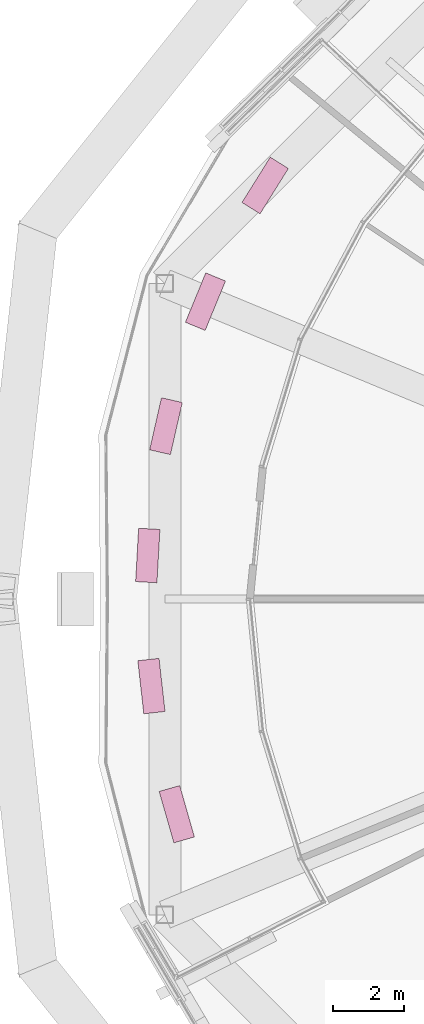
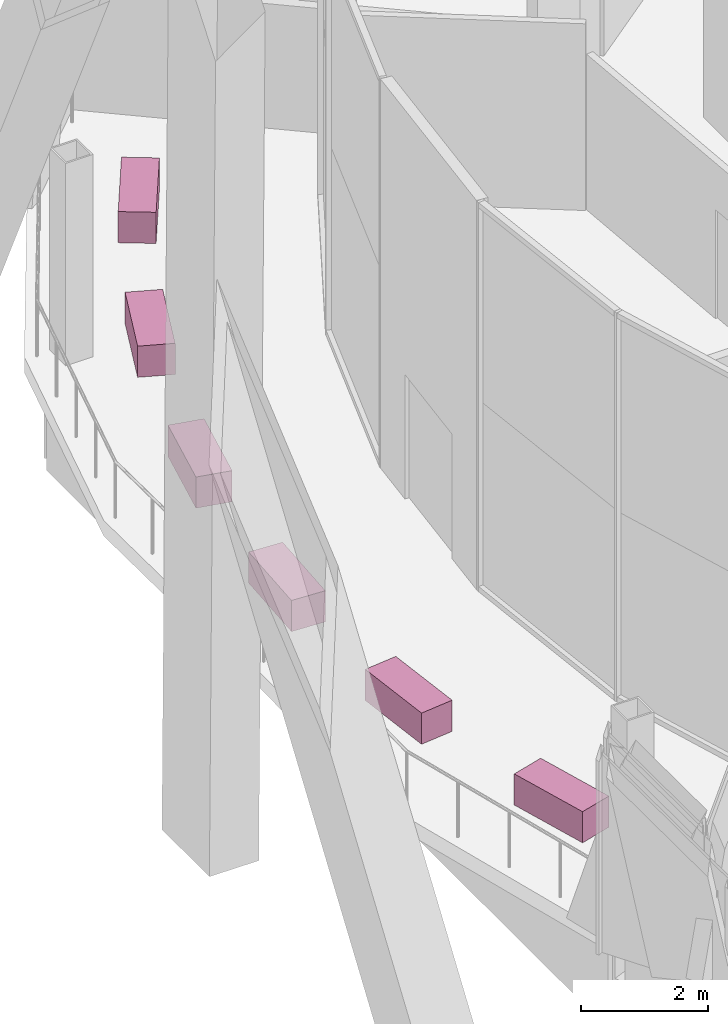
# One storey, part 30 of 30: 6 furniture elements.
"""IFC4 building model written with IfcOpenShell, lengths in metres."""

import ifcopenshell
import ifcopenshell.guid

model = None  # the IFC model being written
_history = None  # IfcOwnerHistory: only IFC2X3 demands one
_inside = {}  # id of a spatial element -> (the spatial element, [elements in it])
_under = {}  # id of a project, library or spatial element -> (it, [spatial elements below it])
_declared = {}  # id of a project -> (the project, [libraries it declares])
_typed = {}  # id of a type object -> (the type object, [elements of that type])
_made_of = {}  # id of a material, layer set ... -> (it, [elements and type objects made of it])


def new_model(schema):
    """Start an empty IFC model of exactly this schema.

    Asked for "IFC4X3", IfcOpenShell would pick the latest addendum, in which some entities
    have other attributes; the version numbers below select the first issue.
    IFC2X3 requires an IfcOwnerHistory on every rooted entity: one is made here for all.
    """
    global model, _history
    if schema == "IFC4X3":
        model = ifcopenshell.file(schema_version=(4, 3, 0, 0))
    else:
        model = ifcopenshell.file(schema=schema)
    _inside.clear()
    _under.clear()
    _declared.clear()
    _typed.clear()
    _made_of.clear()
    _history = None
    if model.schema == "IFC2X3":
        org = make("IfcOrganization", Name="unknown")
        user = make(
            "IfcPersonAndOrganization",
            ThePerson=make("IfcPerson", FamilyName="unknown"),
            TheOrganization=org,
        )
        app = make(
            "IfcApplication",
            ApplicationDeveloper=org,
            Version="unknown",
            ApplicationFullName="unknown",
            ApplicationIdentifier="unknown",
        )
        _history = make(
            "IfcOwnerHistory",
            OwningUser=user,
            OwningApplication=app,
            ChangeAction="ADDED",
            CreationDate=0,
        )
    return model


def make(cls, **values):
    """One entity of the class cls with the attributes given. An attribute that is None is left unset."""
    return model.create_entity(
        cls, **{name: value for name, value in values.items() if value is not None}
    )


def rooted(cls, **values):
    """An entity with a GlobalId (a new one), such as an element, a storey or a relation."""
    return make(cls, GlobalId=ifcopenshell.guid.new(), OwnerHistory=_history, **values)


def si_unit(unit_type, name, prefix=None):
    """IfcSIUnit, for example si_unit("LENGTHUNIT", "METRE", prefix="MILLI")."""
    return make("IfcSIUnit", UnitType=unit_type, Prefix=prefix, Name=name)


def assignment(units):
    """IfcUnitAssignment: the units of a project."""
    return None if units is None else make("IfcUnitAssignment", Units=units)


def point(xyz):
    """IfcCartesianPoint."""
    return None if xyz is None else make("IfcCartesianPoint", Coordinates=xyz)


def direction(xyz):
    """IfcDirection."""
    return None if xyz is None else make("IfcDirection", DirectionRatios=xyz)


def frame(location, z_axis=None, x_axis=None):
    """IfcAxis2Placement3D, a coordinate frame: its origin and axes. An axis left out is left unset."""
    return make(
        "IfcAxis2Placement3D",
        Location=point(location),
        Axis=direction(z_axis),
        RefDirection=direction(x_axis),
    )


def frame_2d(location, x_axis=None):
    """IfcAxis2Placement2D, a coordinate frame in the plane: its origin and x axis."""
    return make(
        "IfcAxis2Placement2D", Location=point(location), RefDirection=direction(x_axis)
    )


def origin():
    """The frame at (0, 0, 0) with its axes left unset."""
    return frame((0.0, 0.0, 0.0))


def origin_2d():
    """The frame at (0, 0) in the plane with its x axis left unset."""
    return frame_2d((0.0, 0.0))


def place(relative_to, where):
    """IfcLocalPlacement: puts the frame where relative to a parent placement (None: the world)."""
    return make(
        "IfcLocalPlacement", PlacementRelTo=relative_to, RelativePlacement=where
    )


def context(
    kind, dimensions, precision=None, world=None, true_north=None, identifier=None
):
    """IfcGeometricRepresentationContext, for example the 3D "Model" context."""
    return make(
        "IfcGeometricRepresentationContext",
        ContextIdentifier=identifier,
        ContextType=kind,
        CoordinateSpaceDimension=dimensions,
        Precision=precision,
        WorldCoordinateSystem=world,
        TrueNorth=true_north,
    )


def subcontext(parent, identifier, kind, view, scale=None):
    """IfcGeometricRepresentationSubContext, for example "Body" below "Model"."""
    return make(
        "IfcGeometricRepresentationSubContext",
        ContextIdentifier=identifier,
        ContextType=kind,
        ParentContext=parent,
        TargetScale=scale,
        TargetView=view,
    )


def project(units=None, contexts=None):
    """IfcProject with its units and contexts."""
    return rooted(
        "IfcProject",
        Name="project",
        RepresentationContexts=contexts,
        UnitsInContext=assignment(units),
    )


def spatial(cls, under=None, at=None, **own):
    """A site, building, storey or space (cls), placed at a placement, below another one or the project."""
    s = rooted(cls, ObjectPlacement=at, **own)
    if under is not None:
        _under.setdefault(under.id(), (under, []))[1].append(s)
    return s


def profile(cls, at=None, kind="AREA", **sizes):
    """A parametric profile (cls). Its sizes go by their IFC names, for example OverallWidth=200.0."""
    return make(cls, ProfileType=kind, Position=at, **sizes)


def rectangle(**sizes):
    """IfcRectangleProfileDef."""
    return profile("IfcRectangleProfileDef", **sizes)


def extrude(swept, where, along, depth):
    """IfcExtrudedAreaSolid: the profile swept, set in the frame where, extruded along a direction by depth."""
    return make(
        "IfcExtrudedAreaSolid",
        SweptArea=swept,
        Position=where,
        ExtrudedDirection=direction(along),
        Depth=depth,
    )


def shape(context_of_items, identifier, shape_type, items):
    """IfcShapeRepresentation: the items that make up one representation, for example the "Body"."""
    return make(
        "IfcShapeRepresentation",
        ContextOfItems=context_of_items,
        RepresentationIdentifier=identifier,
        RepresentationType=shape_type,
        Items=items,
    )


def material(Name=None, Category=None):
    """IfcMaterial."""
    return make("IfcMaterial", Name=Name, Category=Category)


def made_of(thing, what):
    """Note that an element or type object is made of a material, layer set ...; save() writes the relation."""
    if what is not None:
        _made_of.setdefault(what.id(), (what, []))[1].append(thing)
    return thing


def type_object(cls, material=None, **own):
    """A type object (cls), such as IfcWallType, which elements share."""
    return made_of(rooted(cls, **own), material)


def element(
    cls,
    number,
    at=None,
    inside=None,
    cuts=None,
    type_object=None,
    material=None,
    context=None,
    identifier="Body",
    shape_type=None,
    held_by="IfcProductDefinitionShape",
    body=None,
    shapes=None,
    **own,
):
    """One element of the class cls, such as IfcWall. Its Tag is "e" and its number.

    at: its placement. inside: the storey or other place that contains it. cuts: it is an
    opening in that element (IfcRelVoidsElement). A single representation is given by context,
    identifier, shape_type and body (its items); several are given by shapes. held_by: the class
    of the entity that holds the representations. save() writes the other relations.
    """
    e = rooted(cls, Tag="e%d" % number, ObjectPlacement=at, **own)
    if body is not None:
        shapes = [shape(context, identifier, shape_type, body)]
    if shapes is not None:
        e.Representation = make(held_by, Representations=shapes)
    if inside is not None:
        _inside.setdefault(inside.id(), (inside, []))[1].append(e)
    if cuts is not None:
        rooted(
            "IfcRelVoidsElement", RelatingBuildingElement=cuts, RelatedOpeningElement=e
        )
    if type_object is not None:
        _typed.setdefault(type_object.id(), (type_object, []))[1].append(e)
    return made_of(e, material)


def aggregate(whole, parts):
    """IfcRelAggregates: a whole, such as a stair, and the parts it consists of."""
    return rooted("IfcRelAggregates", RelatingObject=whole, RelatedObjects=parts)


def save(model, path):
    """Write the relations noted so far, then the file.

    IfcRelAggregates (storeys below a building ...), IfcRelContainedInSpatialStructure (elements
    in a storey), IfcRelDefinesByType, IfcRelAssociatesMaterial and IfcRelDeclares: one each for
    every whole, place, type object, material and project.
    """
    for whole, parts in _under.values():
        aggregate(whole, parts)
    for where, things in _inside.values():
        rooted(
            "IfcRelContainedInSpatialStructure",
            RelatedElements=things,
            RelatingStructure=where,
        )
    for kind, things in _typed.values():
        rooted("IfcRelDefinesByType", RelatedObjects=things, RelatingType=kind)
    for what, things in _made_of.values():
        rooted("IfcRelAssociatesMaterial", RelatedObjects=things, RelatingMaterial=what)
    for by, libraries in _declared.values():
        rooted("IfcRelDeclares", RelatingContext=by, RelatedDefinitions=libraries)
    model.write(path)


model = new_model("IFC4")

# Units and contexts
model_context = context("Model", 3, precision=1e-05, world=origin(), true_north=direction((0.0, 1.0)))
body_context = subcontext(model_context, "Body", "Model", "MODEL_VIEW")
ifc_project = project(units=[si_unit("LENGTHUNIT", "METRE"), si_unit("AREAUNIT", "SQUARE_METRE"), si_unit("VOLUMEUNIT", "CUBIC_METRE"), si_unit("PLANEANGLEUNIT", "RADIAN"), si_unit("MASSUNIT", "GRAM", prefix="KILO")], contexts=[model_context])

# Site, building, storey
site_placement = place(None, origin())
site = spatial("IfcSite", under=ifc_project, at=site_placement, CompositionType="ELEMENT")
building_placement = place(site_placement, origin())
building = spatial("IfcBuilding", under=site, at=building_placement, Name="Ogive Gate Towers", CompositionType="ELEMENT")
storey_placement = place(building_placement, frame((0.0, 0.0, 99.60009765625)))
storey = spatial("IfcBuildingStorey", under=building, at=storey_placement, Name="L23", CompositionType="ELEMENT", Elevation=99.60009765625)

# Furniture
ifc_material = material(Name="Precast concrete C40/50", Category="concrete")
furniture_type = type_object("IfcFurnitureType", Name="Planter 1500 x 600", AssemblyPlace="NOTDEFINED", PredefinedType="USERDEFINED", material=ifc_material)
for number, where, z_axis, x_axis, name in (
    (1, (-54.580810546875, 11.610595703125, -0.000244140625), (0.0, 0.0, 1.0), (-0.529919264233, -0.848048096156, 0.0), "Planter"),
    (2, (-56.2568359375, 8.349365234375, -0.000244140625), (0.0, 0.0, 1.0), (-0.38107037635, -0.924546033612, 0.0), "Planter"),
    (3, (-57.365478515625, 4.85400390625, -0.000244140625), (0.0, 0.0, 1.0), (-0.221548497619, -0.975149354306, 0.0), "Planter"),
    (4, (-57.875732421875, 1.222900390625, -0.000244140625), (0.0, 0.0, 1.0), (-0.055821504993, -0.998440764182, 0.0), "Planter"),
    (5, (-57.7734375, -2.4423828125, -0.000244140625), (0.0, 0.0, 1.0), (0.111468932206, -0.993767919161, 0.0), "Planter"),
    (6, (-57.061279296875, -6.039306640625, -0.000244140625), (0.0, 0.0, 1.0), (0.275637355817, -0.961261695938, 0.0), "Planter"),
):
    element("IfcFurniture", number, at=place(storey_placement, frame(where, z_axis=z_axis, x_axis=x_axis)), inside=storey, type_object=furniture_type, Name=name, ObjectType="PLANTER", PredefinedType="USERDEFINED", context=body_context, shape_type="SweptSolid", body=[
        extrude(rectangle(XDim=1.5, YDim=0.60009765625, at=origin_2d()), origin(), (0.0, 0.0, 1.0), 0.60009765625),
    ])

save(model, "model.ifc")
